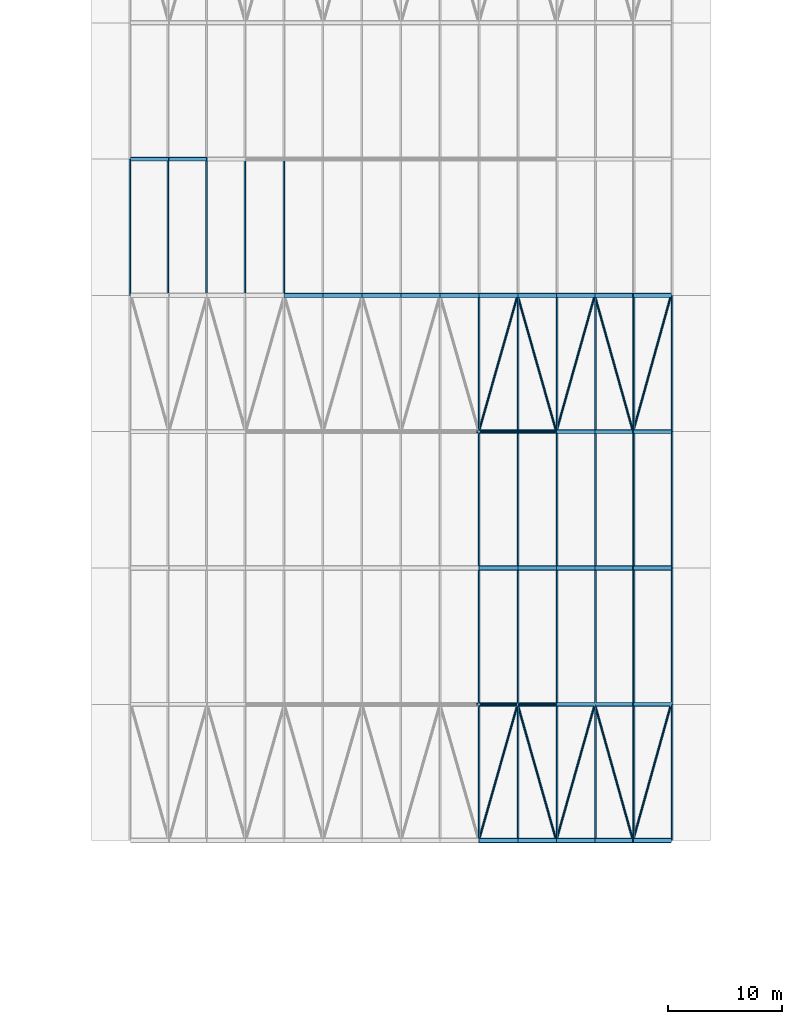
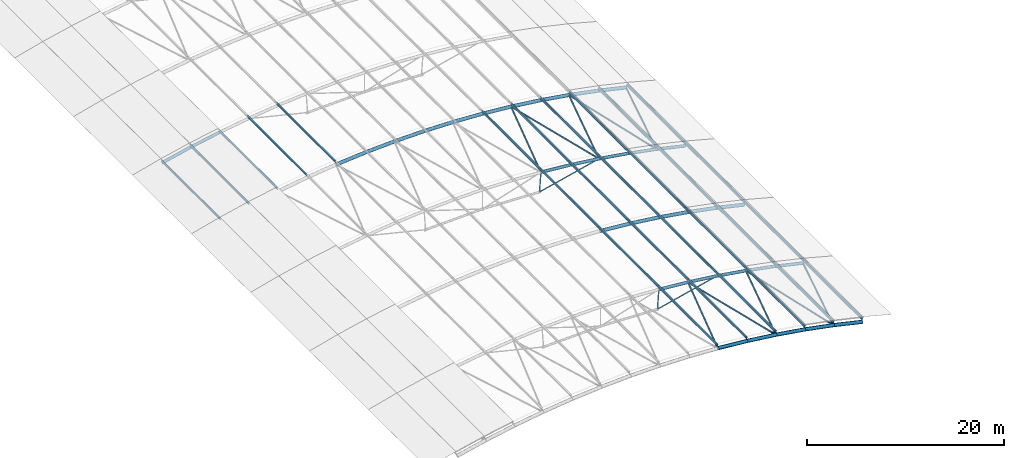
# One storey, part 9 of 91: 75 members.
"""IFC4 building model written with IfcOpenShell, lengths in metres."""

from ifc_helpers import new_model, si_unit, direction, frame, origin, origin_2d, place, context, subcontext, project, spatial, hollow_circle, i_section, extrude, material, material_profile, profile_set, type_object, element, save


model = new_model("IFC4")

# Units and contexts
model_context = context("Model", 3, precision=1e-05, world=origin(), true_north=direction((0.0, 1.0)))
body_context = subcontext(model_context, "Body", "Model", "MODEL_VIEW")
ifc_project = project(units=[si_unit("LENGTHUNIT", "METRE"), si_unit("AREAUNIT", "SQUARE_METRE"), si_unit("VOLUMEUNIT", "CUBIC_METRE"), si_unit("PLANEANGLEUNIT", "RADIAN"), si_unit("MASSUNIT", "GRAM", prefix="KILO")], contexts=[model_context])

# Site, building, storey
site_placement = place(None, origin())
site = spatial("IfcSite", under=ifc_project, at=site_placement, CompositionType="ELEMENT")
building_placement = place(site_placement, origin())
building = spatial("IfcBuilding", under=site, at=building_placement, Name="Ravi Spectrum Wholesale Market", CompositionType="ELEMENT")
storey_placement = place(building_placement, frame((0.0, 0.0, 16.199951171875)))
storey = spatial("IfcBuildingStorey", under=building, at=storey_placement, Name="ROOF PLANT LEVEL", CompositionType="ELEMENT", Elevation=16.199951171875)

# Members
ifc_material_1 = material(Name="Steel S355", Category="steel")
ifc_material_profile_1 = material_profile(ifc_material_1, hollow_circle(Radius=0.06982421875, WallThickness=0.0048828125, at=origin_2d()))
ifc_profile_set_1 = profile_set([ifc_material_profile_1], Name="Steel S355")
member_type_1 = type_object("IfcMemberType", Name="CHS 139.7x5 brace", PredefinedType="BRACE", material=ifc_profile_set_1)
for number, where, z_axis, x_axis, name in (
    (1, (83.681884765625, 42.0, 2.079833984375), (-0.97214359809, 0.0, -0.234386059083), (0.0, -1.0, 0.0), "H1-MB-L02-153"),
    (2, (83.681884765625, 66.0, 2.079833984375), (-0.97214359809, 0.0, -0.234386059083), (0.0, -1.0, 0.0), "H1-MB-L02-315"),
):
    element("IfcMember", number, at=place(storey_placement, frame(where, z_axis=z_axis, x_axis=x_axis)), inside=storey, type_object=member_type_1, Name=name, PredefinedType="BRACE", context=body_context, shape_type="SweptSolid", body=[
        extrude(hollow_circle(Radius=0.06982421875, WallThickness=0.0048828125, at=origin_2d()), origin(), (0.0, 0.0, 1.0), 7.190185546875),
    ])
ifc_material_2 = material(Name="Steel S355", Category="steel")
ifc_material_profile_2 = material_profile(ifc_material_2, hollow_circle(Radius=0.06982421875, WallThickness=0.0048828125, at=origin_2d()))
ifc_profile_set_2 = profile_set([ifc_material_profile_2], Name="Steel S355")
member_type_2 = type_object("IfcMemberType", Name="CHS 139.7x5 post", PredefinedType="POST", material=ifc_profile_set_2)
for number, where, z_axis, x_axis, name in (
    (3, (76.857177734375, 42.0, 2.788818359375), (-0.068868423963, 0.0, -0.997625751563), (0.0, -1.0, 0.0), "H1-MB-L02-142"),
    (4, (76.857177734375, 66.0, 2.788818359375), (-0.068868423963, 0.0, -0.997625751563), (0.0, -1.0, 0.0), "H1-MB-L02-304"),
):
    element("IfcMember", number, at=place(storey_placement, frame(where, z_axis=z_axis, x_axis=x_axis)), inside=storey, type_object=member_type_2, Name=name, PredefinedType="POST", context=body_context, shape_type="SweptSolid", body=[
        extrude(hollow_circle(Radius=0.06982421875, WallThickness=0.0048828125, at=origin_2d()), origin(), (0.0, 0.0, 1.0), 2.39990234375),
    ])
ifc_material_3 = material(Name="Steel S355", Category="steel")
ifc_material_profile_3 = material_profile(ifc_material_3, hollow_circle(Radius=0.096923828125, WallThickness=0.00634765625, at=origin_2d()))
ifc_profile_set_3 = profile_set([ifc_material_profile_3], Name="Steel S355")
member_type_3 = type_object("IfcMemberType", Name="CHS 193.7x6.3 brace", PredefinedType="BRACE", material=ifc_profile_set_3)
member_1_placement = place(storey_placement, frame((76.85546875, 30.0, 2.763427734375), z_axis=(0.274034013599, 0.9614761822, -0.021654340285), x_axis=(-0.961701684624, 0.27409828491, 0.0)))
element("IfcMember", 5, at=member_1_placement, inside=storey, type_object=member_type_3, Name="H1-MB-L02-1598", PredefinedType="BRACE", context=body_context, shape_type="SweptSolid", body=[
    extrude(hollow_circle(Radius=0.096923828125, WallThickness=0.00634765625, at=origin_2d()), origin(), (0.0, 0.0, 1.0), 12.480712890625),
])
member_2_placement = place(storey_placement, frame((80.275634765625, 42.0, 2.4931640625), z_axis=(0.272644331553, -0.961473251867, -0.035131957201), x_axis=(0.962067152996, 0.272812743702, 0.0)))
element("IfcMember", 6, at=member_2_placement, inside=storey, type_object=member_type_3, Name="H1-MB-L02-1599", PredefinedType="BRACE", context=body_context, shape_type="SweptSolid", body=[
    extrude(hollow_circle(Radius=0.096923828125, WallThickness=0.00634765625, at=origin_2d()), origin(), (0.0, 0.0, 1.0), 12.48095703125),
])
member_3_placement = place(storey_placement, frame((83.678466796875, 30.0, 2.0546875), z_axis=(0.271882814956, 0.961478100635, -0.040491936611), x_axis=(-0.962267289503, 0.272105978532, 0.0)))
element("IfcMember", 7, at=member_3_placement, inside=storey, type_object=member_type_3, Name="H1-MB-L02-1600", PredefinedType="BRACE", context=body_context, shape_type="SweptSolid", body=[
    extrude(hollow_circle(Radius=0.096923828125, WallThickness=0.00634765625, at=origin_2d()), origin(), (0.0, 0.0, 1.0), 12.480712890625),
])
for number, where, z_axis, x_axis, name in (
    (8, (87.07177734375, 42.0, 1.54931640625), (0.269573425524, -0.961473986747, -0.053832527904), (0.962870169495, 0.269964880489, 0.0), "H1-MB-L02-1601"),
    (9, (90.436279296875, 30.0, 0.87744140625), (0.268458266113, 0.961473382103, -0.059153147532), (-0.963159952785, 0.26892918278, 0.0), "H1-MB-L02-1602"),
    (10, (76.857177734375, 66.0, 2.788818359375), (0.273700155863, 0.961471559533, -0.025703402287), (-0.961789322244, 0.273790612729, 0.0), "H1-MB-L02-1622"),
):
    element("IfcMember", number, at=place(storey_placement, frame(where, z_axis=z_axis, x_axis=x_axis)), inside=storey, type_object=member_type_3, Name=name, PredefinedType="BRACE", context=body_context, shape_type="SweptSolid", body=[
        extrude(hollow_circle(Radius=0.096923828125, WallThickness=0.00634765625, at=origin_2d()), origin(), (0.0, 0.0, 1.0), 12.48095703125),
    ])
for number, where, z_axis, x_axis, name in (
    (11, (80.273193359375, 78.0, 2.468017578125), (0.273115259603, -0.961478387049, -0.0311025113), (0.961943775579, 0.273247456759, 0.0), "H1-MB-L02-1623"),
    (12, (83.681884765625, 66.0, 2.079833984375), (0.271256737802, 0.961477693548, -0.044501988786), (-0.962431178207, 0.271525739506, 0.0), "H1-MB-L02-1624"),
    (13, (87.0673828125, 78.0, 1.5244140625), (0.270336560063, -0.961474862535, -0.049842080683), (0.962671356068, 0.270672976499, 0.0), "H1-MB-L02-1625"),
):
    element("IfcMember", number, at=place(storey_placement, frame(where, z_axis=z_axis, x_axis=x_axis)), inside=storey, type_object=member_type_3, Name=name, PredefinedType="BRACE", context=body_context, shape_type="SweptSolid", body=[
        extrude(hollow_circle(Radius=0.096923828125, WallThickness=0.00634765625, at=origin_2d()), origin(), (0.0, 0.0, 1.0), 12.480712890625),
    ])
member_4_placement = place(storey_placement, frame((90.44140625, 66.0, 0.90234375), z_axis=(0.267558016602, 0.961471825707, -0.063123974234), x_axis=(-0.963393127067, 0.268092675619, 0.0)))
element("IfcMember", 14, at=member_4_placement, inside=storey, type_object=member_type_3, Name="H1-MB-L02-1626", PredefinedType="BRACE", context=body_context, shape_type="SweptSolid", body=[
    extrude(hollow_circle(Radius=0.096923828125, WallThickness=0.00634765625, at=origin_2d()), origin(), (0.0, 0.0, 1.0), 12.48095703125),
])
ifc_material_4 = material(Name="Steel S355", Category="steel")
ifc_material_profile_4 = material_profile(ifc_material_4, hollow_circle(Radius=0.177734375, WallThickness=0.012451171875, at=origin_2d()))
ifc_profile_set_4 = profile_set([ifc_material_profile_4], Name="Steel S355")
member_type_4 = type_object("IfcMemberType", Name="CHS 355.6x12.5 chord", PredefinedType="CHORD", material=ifc_profile_set_4)
for number, where, z_axis, x_axis, name in (
    (15, (76.857177734375, 42.0, 2.788818359375), (0.996280795756, 0.0, -0.086165979407), (0.0, 1.0, 0.0), "H1-MB-L02-114"),
    (16, (80.275634765625, 42.0, 2.4931640625), (0.992718062095, 0.0, -0.120460986176), (0.0, 1.0, 0.0), "H1-MB-L02-115"),
    (17, (83.681884765625, 42.0, 2.079833984375), (0.987974358509, 0.0, -0.154617809221), (0.0, 1.0, 0.0), "H1-MB-L02-116"),
    (18, (87.07177734375, 42.0, 1.54931640625), (0.982062230733, 0.0, -0.188557086759), (0.0, 1.0, 0.0), "H1-MB-L02-117"),
):
    element("IfcMember", number, at=place(storey_placement, frame(where, z_axis=z_axis, x_axis=x_axis)), inside=storey, type_object=member_type_4, Name=name, PredefinedType="CHORD", context=body_context, shape_type="SweptSolid", body=[
        extrude(hollow_circle(Radius=0.177734375, WallThickness=0.012451171875, at=origin_2d()), origin(), (0.0, 0.0, 1.0), 3.43115234375),
    ])
member_5_placement = place(storey_placement, frame((90.44140625, 42.0, 0.90234375), z_axis=(0.974952916083, 0.0, -0.222411356322), x_axis=(0.0, 1.0, 0.0)))
element("IfcMember", 19, at=member_5_placement, inside=storey, type_object=member_type_4, Name="H1-MB-L02-118", PredefinedType="CHORD", context=body_context, shape_type="SweptSolid", body=[
    extrude(hollow_circle(Radius=0.177734375, WallThickness=0.012451171875, at=origin_2d()), origin(), (0.0, 0.0, 1.0), 3.431396484375),
])
for number, where, z_axis, x_axis, name in (
    (20, (76.857177734375, 66.0, 2.788818359375), (0.996280795756, 0.0, -0.086165979407), (0.0, 1.0, 0.0), "H1-MB-L02-276"),
    (21, (80.275634765625, 66.0, 2.4931640625), (0.992718062095, 0.0, -0.120460986176), (0.0, 1.0, 0.0), "H1-MB-L02-277"),
    (22, (83.681884765625, 66.0, 2.079833984375), (0.987974358509, 0.0, -0.154617809221), (0.0, 1.0, 0.0), "H1-MB-L02-278"),
    (23, (87.07177734375, 66.0, 1.54931640625), (0.982062230733, 0.0, -0.188557086759), (0.0, 1.0, 0.0), "H1-MB-L02-279"),
):
    element("IfcMember", number, at=place(storey_placement, frame(where, z_axis=z_axis, x_axis=x_axis)), inside=storey, type_object=member_type_4, Name=name, PredefinedType="CHORD", context=body_context, shape_type="SweptSolid", body=[
        extrude(hollow_circle(Radius=0.177734375, WallThickness=0.012451171875, at=origin_2d()), origin(), (0.0, 0.0, 1.0), 3.43115234375),
    ])
for number, where, z_axis, x_axis, name in (
    (24, (90.44140625, 66.0, 0.90234375), (0.974952916083, 0.0, -0.222411356322), (0.0, 1.0, 0.0), "H1-MB-L02-280"),
    (25, (46.213134765625, 90.0, 0.13916015625), (0.974952916083, 0.0, 0.222411356322), (0.0, 1.0, 0.0), "H1-MB-L02-429"),
):
    element("IfcMember", number, at=place(storey_placement, frame(where, z_axis=z_axis, x_axis=x_axis)), inside=storey, type_object=member_type_4, Name=name, PredefinedType="CHORD", context=body_context, shape_type="SweptSolid", body=[
        extrude(hollow_circle(Radius=0.177734375, WallThickness=0.012451171875, at=origin_2d()), origin(), (0.0, 0.0, 1.0), 3.431396484375),
    ])
member_6_placement = place(storey_placement, frame((49.55859375, 90.0, 0.90234375), z_axis=(0.982062230733, 0.0, 0.188557086759), x_axis=(0.0, 1.0, 0.0)))
element("IfcMember", 26, at=member_6_placement, inside=storey, type_object=member_type_4, Name="H1-MB-L02-430", PredefinedType="CHORD", context=body_context, shape_type="SweptSolid", body=[
    extrude(hollow_circle(Radius=0.177734375, WallThickness=0.012451171875, at=origin_2d()), origin(), (0.0, 0.0, 1.0), 3.43115234375),
])
ifc_material_5 = material(Name="Steel S355", Category="steel")
ifc_material_profile_5 = material_profile(ifc_material_5, hollow_circle(Radius=0.203125, WallThickness=0.01611328125, at=origin_2d()))
ifc_profile_set_5 = profile_set([ifc_material_profile_5], Name="Steel S355")
member_type_5 = type_object("IfcMemberType", Name="CHS 406.4x16 chord", PredefinedType="CHORD", material=ifc_profile_set_5)
member_7_placement = place(storey_placement, frame((76.85546875, 30.0, 2.763427734375), z_axis=(0.99628531868, 0.0, -0.086113667805), x_axis=(0.0, 1.0, 0.0)))
element("IfcMember", 27, at=member_7_placement, inside=storey, type_object=member_type_5, Name="H1-MB-L02-015", PredefinedType="CHORD", context=body_context, shape_type="SweptSolid", body=[
    extrude(hollow_circle(Radius=0.203125, WallThickness=0.01611328125, at=origin_2d()), origin(), (0.0, 0.0, 1.0), 3.430419921875),
])
for number, where, z_axis, x_axis, name in (
    (28, (80.273193359375, 30.0, 2.468017578125), (0.992713930418, 0.0, -0.120495030413), (0.0, 1.0, 0.0), "H1-MB-L02-016"),
    (29, (83.678466796875, 30.0, 2.0546875), (0.987978424514, 0.0, -0.154591826096), (0.0, 1.0, 0.0), "H1-MB-L02-017"),
):
    element("IfcMember", number, at=place(storey_placement, frame(where, z_axis=z_axis, x_axis=x_axis)), inside=storey, type_object=member_type_5, Name=name, PredefinedType="CHORD", context=body_context, shape_type="SweptSolid", body=[
        extrude(hollow_circle(Radius=0.203125, WallThickness=0.01611328125, at=origin_2d()), origin(), (0.0, 0.0, 1.0), 3.43017578125),
    ])
for number, where, z_axis, x_axis, name in (
    (30, (87.0673828125, 30.0, 1.5244140625), (0.982054639007, 0.0, -0.188596622463), (0.0, 1.0, 0.0), "H1-MB-L02-018"),
    (31, (90.436279296875, 30.0, 0.87744140625), (0.974954266394, 0.0, -0.222405437074), (0.0, 1.0, 0.0), "H1-MB-L02-019"),
    (32, (76.85546875, 54.0, 2.763427734375), (0.99628531868, 0.0, -0.086113667805), (0.0, 1.0, 0.0), "H1-MB-L02-177"),
):
    element("IfcMember", number, at=place(storey_placement, frame(where, z_axis=z_axis, x_axis=x_axis)), inside=storey, type_object=member_type_5, Name=name, PredefinedType="CHORD", context=body_context, shape_type="SweptSolid", body=[
        extrude(hollow_circle(Radius=0.203125, WallThickness=0.01611328125, at=origin_2d()), origin(), (0.0, 0.0, 1.0), 3.430419921875),
    ])
for number, where, z_axis, x_axis, name in (
    (33, (80.273193359375, 54.0, 2.468017578125), (0.992713930418, 0.0, -0.120495030413), (0.0, 1.0, 0.0), "H1-MB-L02-178"),
    (34, (83.678466796875, 54.0, 2.0546875), (0.987978424514, 0.0, -0.154591826096), (0.0, 1.0, 0.0), "H1-MB-L02-179"),
):
    element("IfcMember", number, at=place(storey_placement, frame(where, z_axis=z_axis, x_axis=x_axis)), inside=storey, type_object=member_type_5, Name=name, PredefinedType="CHORD", context=body_context, shape_type="SweptSolid", body=[
        extrude(hollow_circle(Radius=0.203125, WallThickness=0.01611328125, at=origin_2d()), origin(), (0.0, 0.0, 1.0), 3.43017578125),
    ])
for number, where, z_axis, x_axis, name in (
    (35, (87.0673828125, 54.0, 1.5244140625), (0.982054639007, 0.0, -0.188596622463), (0.0, 1.0, 0.0), "H1-MB-L02-180"),
    (36, (90.436279296875, 54.0, 0.87744140625), (0.974954266394, 0.0, -0.222405437074), (0.0, 1.0, 0.0), "H1-MB-L02-181"),
    (37, (59.726806640625, 78.0, 2.468017578125), (0.99628531868, 0.0, 0.086113667805), (0.0, 1.0, 0.0), "H1-MB-L02-334"),
    (38, (63.14453125, 78.0, 2.763427734375), (0.998660550273, 0.0, 0.051740751144), (0.0, 1.0, 0.0), "H1-MB-L02-335"),
):
    element("IfcMember", number, at=place(storey_placement, frame(where, z_axis=z_axis, x_axis=x_axis)), inside=storey, type_object=member_type_5, Name=name, PredefinedType="CHORD", context=body_context, shape_type="SweptSolid", body=[
        extrude(hollow_circle(Radius=0.203125, WallThickness=0.01611328125, at=origin_2d()), origin(), (0.0, 0.0, 1.0), 3.430419921875),
    ])
for number, where, z_axis, x_axis, name in (
    (39, (66.5703125, 78.0, 2.94091796875), (0.999851654256, 0.0, 0.01722409598), (0.0, 1.0, 0.0), "H1-MB-L02-336"),
    (40, (70.0, 78.0, 3.0), (0.999851654256, 0.0, -0.01722409598), (0.0, 1.0, 0.0), "H1-MB-L02-337"),
):
    element("IfcMember", number, at=place(storey_placement, frame(where, z_axis=z_axis, x_axis=x_axis)), inside=storey, type_object=member_type_5, Name=name, PredefinedType="CHORD", context=body_context, shape_type="SweptSolid", body=[
        extrude(hollow_circle(Radius=0.203125, WallThickness=0.01611328125, at=origin_2d()), origin(), (0.0, 0.0, 1.0), 3.43017578125),
    ])
for number, where, z_axis, x_axis, name in (
    (41, (73.4296875, 78.0, 2.94091796875), (0.998660550273, 0.0, -0.051740751144), (0.0, 1.0, 0.0), "H1-MB-L02-338"),
    (42, (76.85546875, 78.0, 2.763427734375), (0.99628531868, 0.0, -0.086113667805), (0.0, 1.0, 0.0), "H1-MB-L02-339"),
):
    element("IfcMember", number, at=place(storey_placement, frame(where, z_axis=z_axis, x_axis=x_axis)), inside=storey, type_object=member_type_5, Name=name, PredefinedType="CHORD", context=body_context, shape_type="SweptSolid", body=[
        extrude(hollow_circle(Radius=0.203125, WallThickness=0.01611328125, at=origin_2d()), origin(), (0.0, 0.0, 1.0), 3.430419921875),
    ])
for number, where, z_axis, x_axis, name in (
    (43, (80.273193359375, 78.0, 2.468017578125), (0.992713930418, 0.0, -0.120495030413), (0.0, 1.0, 0.0), "H1-MB-L02-340"),
    (44, (83.678466796875, 78.0, 2.0546875), (0.987978424514, 0.0, -0.154591826096), (0.0, 1.0, 0.0), "H1-MB-L02-341"),
):
    element("IfcMember", number, at=place(storey_placement, frame(where, z_axis=z_axis, x_axis=x_axis)), inside=storey, type_object=member_type_5, Name=name, PredefinedType="CHORD", context=body_context, shape_type="SweptSolid", body=[
        extrude(hollow_circle(Radius=0.203125, WallThickness=0.01611328125, at=origin_2d()), origin(), (0.0, 0.0, 1.0), 3.43017578125),
    ])
for number, where, z_axis, x_axis, name in (
    (45, (87.0673828125, 78.0, 1.5244140625), (0.982054639007, 0.0, -0.188596622463), (0.0, 1.0, 0.0), "H1-MB-L02-342"),
    (46, (90.436279296875, 78.0, 0.87744140625), (0.974954266394, 0.0, -0.222405437074), (0.0, 1.0, 0.0), "H1-MB-L02-343"),
):
    element("IfcMember", number, at=place(storey_placement, frame(where, z_axis=z_axis, x_axis=x_axis)), inside=storey, type_object=member_type_5, Name=name, PredefinedType="CHORD", context=body_context, shape_type="SweptSolid", body=[
        extrude(hollow_circle(Radius=0.203125, WallThickness=0.01611328125, at=origin_2d()), origin(), (0.0, 0.0, 1.0), 3.430419921875),
    ])
ifc_material_6 = material(Name="Steel S355", Category="steel")
ifc_material_profile_6 = material_profile(ifc_material_6, i_section(OverallWidth=0.135009765625, OverallDepth=0.27001953125, WebThickness=0.006591796875, FlangeThickness=0.01025390625, at=origin_2d()))
ifc_profile_set_6 = profile_set([ifc_material_profile_6], Name="Steel S355")
member_type_6 = type_object("IfcMemberType", Name="IPE 270 purlin", PredefinedType="PURLIN", material=ifc_profile_set_6)
for number, where, z_axis, x_axis, name in (
    (47, (76.87890625, 30.0, 3.100830078125), (0.0, 1.0, 0.0), (-0.997620623348, 0.0, 0.068942670899), "H1-MB-L02-1248"),
    (48, (80.30810546875, 30.0, 2.804443359375), (0.0, 1.0, 0.0), (-0.994649057067, 0.0, 0.103311438261), "H1-MB-L02-1249"),
    (49, (83.724853515625, 30.0, 2.3896484375), (0.0, 1.0, 0.0), (-0.99049381866, 0.0, 0.137557243347), "H1-MB-L02-1250"),
    (50, (87.12548828125, 30.0, 1.857666015625), (0.0, 1.0, 0.0), (-0.985159848831, 0.0, 0.171639366844), "H1-MB-L02-1251"),
    (51, (90.505859375, 30.0, 1.208251953125), (0.0, 1.0, 0.0), (-0.978653497036, 0.0, 0.205517232221), "H1-MB-L02-1252"),
    (52, (93.861572265625, 30.0, 0.44287109375), (0.0, 1.0, 0.0), (-0.970982506107, 0.0, 0.239150523382), "H1-MB-L02-1253"),
    (53, (76.87890625, 42.0, 3.100830078125), (0.0, 1.0, 0.0), (-0.997620623348, 0.0, 0.068942670899), "H1-MB-L02-1273"),
    (54, (80.30810546875, 42.0, 2.804443359375), (0.0, 1.0, 0.0), (-0.994649057067, 0.0, 0.103311438261), "H1-MB-L02-1274"),
    (55, (83.724853515625, 42.0, 2.3896484375), (0.0, 1.0, 0.0), (-0.99049381866, 0.0, 0.137557243347), "H1-MB-L02-1275"),
    (56, (87.12548828125, 42.0, 1.857666015625), (0.0, 1.0, 0.0), (-0.985159848831, 0.0, 0.171639366844), "H1-MB-L02-1276"),
    (57, (90.505859375, 42.0, 1.208251953125), (0.0, 1.0, 0.0), (-0.978653497036, 0.0, 0.205517232221), "H1-MB-L02-1277"),
    (58, (93.861572265625, 42.0, 0.44287109375), (0.0, 1.0, 0.0), (-0.970982506107, 0.0, 0.239150523382), "H1-MB-L02-1278"),
    (59, (76.87890625, 54.0, 3.100830078125), (0.0, 1.0, 0.0), (-0.997620623348, 0.0, 0.068942670899), "H1-MB-L02-1298"),
    (60, (80.30810546875, 54.0, 2.804443359375), (0.0, 1.0, 0.0), (-0.994649057067, 0.0, 0.103311438261), "H1-MB-L02-1299"),
    (61, (83.724853515625, 54.0, 2.3896484375), (0.0, 1.0, 0.0), (-0.99049381866, 0.0, 0.137557243347), "H1-MB-L02-1300"),
    (62, (87.12548828125, 54.0, 1.857666015625), (0.0, 1.0, 0.0), (-0.985159848831, 0.0, 0.171639366844), "H1-MB-L02-1301"),
    (63, (90.505859375, 54.0, 1.208251953125), (0.0, 1.0, 0.0), (-0.978653497036, 0.0, 0.205517232221), "H1-MB-L02-1302"),
    (64, (93.861572265625, 54.0, 0.44287109375), (0.0, 1.0, 0.0), (-0.970982506107, 0.0, 0.239150523382), "H1-MB-L02-1303"),
    (65, (76.87890625, 66.0, 3.100830078125), (0.0, 1.0, 0.0), (-0.997620623348, 0.0, 0.068942670899), "H1-MB-L02-1323"),
    (66, (80.30810546875, 66.0, 2.804443359375), (0.0, 1.0, 0.0), (-0.994649057067, 0.0, 0.103311438261), "H1-MB-L02-1324"),
    (67, (83.724853515625, 66.0, 2.3896484375), (0.0, 1.0, 0.0), (-0.99049381866, 0.0, 0.137557243347), "H1-MB-L02-1325"),
    (68, (87.12548828125, 66.0, 1.857666015625), (0.0, 1.0, 0.0), (-0.985159848831, 0.0, 0.171639366844), "H1-MB-L02-1326"),
    (69, (90.505859375, 66.0, 1.208251953125), (0.0, 1.0, 0.0), (-0.978653497036, 0.0, 0.205517232221), "H1-MB-L02-1327"),
    (70, (93.861572265625, 66.0, 0.44287109375), (0.0, 1.0, 0.0), (-0.970982506107, 0.0, 0.239150523382), "H1-MB-L02-1328"),
    (71, (46.138427734375, 78.0, 0.44287109375), (0.0, 1.0, 0.0), (-0.970982506107, 0.0, -0.239150523382), "H1-MB-L02-1339"),
    (72, (49.494140625, 78.0, 1.208251953125), (0.0, 1.0, 0.0), (-0.978653497036, 0.0, -0.205517232221), "H1-MB-L02-1340"),
    (73, (52.87451171875, 78.0, 1.857666015625), (0.0, 1.0, 0.0), (-0.985159848831, 0.0, -0.171639366844), "H1-MB-L02-1341"),
    (74, (56.275146484375, 78.0, 2.3896484375), (0.0, 1.0, 0.0), (-0.99049381866, 0.0, -0.137557243347), "H1-MB-L02-1342"),
    (75, (59.69189453125, 78.0, 2.804443359375), (0.0, 1.0, 0.0), (-0.994649057067, 0.0, -0.103311438261), "H1-MB-L02-1343"),
):
    element("IfcMember", number, at=place(storey_placement, frame(where, z_axis=z_axis, x_axis=x_axis)), inside=storey, type_object=member_type_6, Name=name, PredefinedType="PURLIN", context=body_context, shape_type="SweptSolid", body=[
        extrude(i_section(OverallWidth=0.135009765625, OverallDepth=0.27001953125, WebThickness=0.006591796875, FlangeThickness=0.01025390625, at=origin_2d()), origin(), (0.0, 0.0, 1.0), 12.0),
    ])

save(model, "model.ifc")
